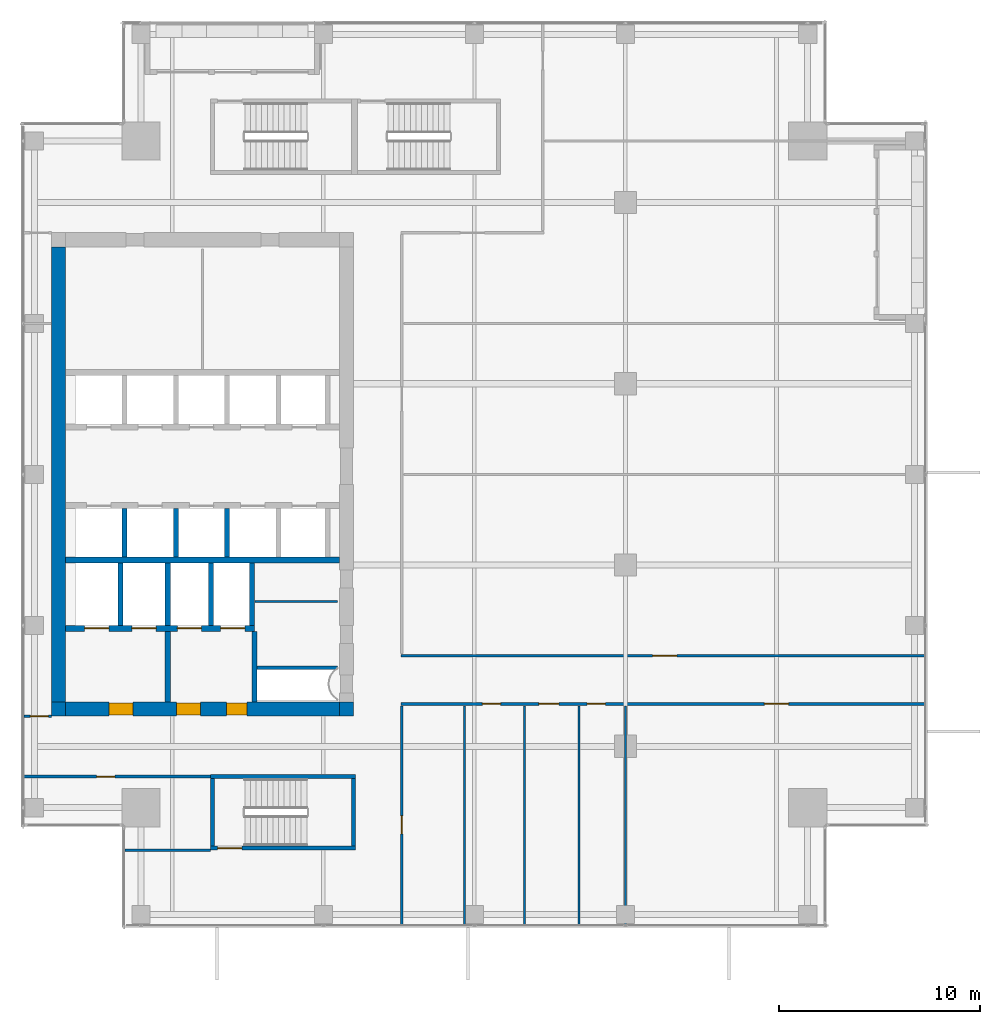
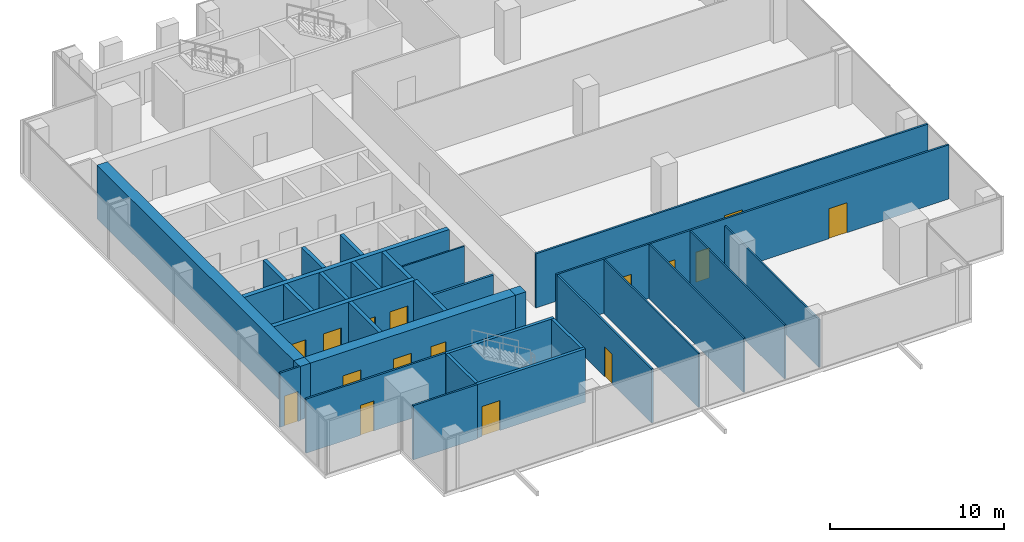
# One storey, part 29 of 34: 31 walls, 16 doors, 16 openings.
"""IFC4 building model written with IfcOpenShell, lengths in metres."""

from ifc_helpers import new_model, si_unit, direction, frame, frame_2d, origin, place, context, subcontext, project, spatial, rectangle, extrude, source, transform, mapped, material, layer, layer_set, type_object, element, fill, save


model = new_model("IFC4")

# Units and contexts
model_context = context("Model", 3, precision=1e-05, world=origin(), true_north=direction((0.0, 1.0)))
body_context = subcontext(model_context, "Body", "Model", "MODEL_VIEW")
ifc_project = project(units=[si_unit("LENGTHUNIT", "METRE"), si_unit("AREAUNIT", "SQUARE_METRE"), si_unit("VOLUMEUNIT", "CUBIC_METRE"), si_unit("PLANEANGLEUNIT", "RADIAN"), si_unit("MASSUNIT", "GRAM", prefix="KILO")], contexts=[model_context])

# Site, building, storey
site_placement = place(None, origin())
site = spatial("IfcSite", under=ifc_project, at=site_placement, CompositionType="ELEMENT")
building_placement = place(site_placement, origin())
building = spatial("IfcBuilding", under=site, at=building_placement, Name="Khomas Fold Tower", CompositionType="ELEMENT")
storey_placement = place(building_placement, frame((0.0, 0.0, 254.199951171875)))
storey = spatial("IfcBuildingStorey", under=building, at=storey_placement, Name="L57", CompositionType="ELEMENT", Elevation=254.199951171875)

# Wall
ifc_material_1 = material(Name="Concrete C50/60", Category="concrete")
ifc_layer_1 = layer(ifc_material_1, 0.199951171875)
ifc_layer_set_1 = layer_set([ifc_layer_1], Name="Concrete C50/60")
wall_type_1 = type_object("IfcWallType", Name="Stair wall 200", PredefinedType="SHEAR", material=ifc_layer_set_1)
shared_shape_1 = source(origin(), body_context, "Body", "SweptSolid", [
    extrude(rectangle(XDim=7.2001953125, YDim=0.199951171875, at=frame_2d((3.60009765625, 0.0))), origin(), (0.0, 0.0, 1.0), 3.75),
])
wall_1_placement = place(storey_placement, frame((13.89990234375, 12.0, 0.0), z_axis=(0.0, 0.0, 1.0), x_axis=(1.0, 0.0, 0.0)))
element("IfcWall", 1, at=wall_1_placement, inside=storey, type_object=wall_type_1, Name="Stair wall SW-ST2-NH", PredefinedType="SHEAR", context=body_context, shape_type="MappedRepresentation", body=[
    mapped(shared_shape_1, transform((0.0, 0.0, 0.0))),
])

# Wall, opening, door
wall_2_placement = place(storey_placement, frame((13.89990234375, 8.449951171875, 0.0), z_axis=(0.0, 0.0, 1.0), x_axis=(1.0, 0.0, 0.0)))
wall_2 = element("IfcWall", 2, at=wall_2_placement, inside=storey, type_object=wall_type_1, Name="Stair wall SW-ST2-S", PredefinedType="SHEAR", context=body_context, shape_type="MappedRepresentation", body=[
    mapped(shared_shape_1, transform((0.0, 0.0, 0.0))),
])
shared_shape_2 = source(origin(), body_context, "Body", "SweptSolid", [
    extrude(rectangle(XDim=1.199951171875, YDim=2.10009765625, at=frame_2d((0.60009765625, 1.050048828125))), frame((0.0, 0.10986328125, 0.0), z_axis=(0.0, -1.0, 0.0), x_axis=(1.0, 0.0, 0.0)), (0.0, 0.0, 1.0), 0.219970703125),
])
opening_1_placement = place(wall_2_placement, frame((0.35009765625, 0.0, 0.0)))
opening_1 = element("IfcOpeningElement", 3, at=opening_1_placement, cuts=wall_2, Name="Opening SD-ST2", PredefinedType="OPENING", context=body_context, shape_type="MappedRepresentation", body=[
    mapped(shared_shape_2, transform((0.0, 0.0, 0.0))),
])
ifc_material_2 = material(Name="Steel door leaf", Category="steel")
door_type_1 = type_object("IfcDoorType", Name="Stair door 1200x2100 right-hand", OperationType="SINGLE_SWING_RIGHT", PredefinedType="DOOR", material=ifc_material_2)
shared_shape_3 = source(origin(), body_context, "Body", "SweptSolid", [
    extrude(rectangle(XDim=1.199951171875, YDim=2.10009765625, at=frame_2d((0.60009765625, 1.050048828125))), frame((0.0, 0.02490234375, 0.0), z_axis=(0.0, -1.0, 0.0), x_axis=(1.0, 0.0, 0.0)), (0.0, 0.0, 1.0), 0.050048828125),
])
door_1_placement = place(opening_1_placement, origin())
door_1 = element("IfcDoor", 4, at=door_1_placement, inside=storey, type_object=door_type_1, Name="Stair door", OperationType="SINGLE_SWING_RIGHT", OverallHeight=2.10009765625, OverallWidth=1.199951171875, PredefinedType="DOOR", context=body_context, shape_type="MappedRepresentation", body=[
    mapped(shared_shape_3, transform((0.0, 0.0, 0.0))),
])
fill(opening_1, door_1)

# Walls
shared_shape_4 = source(origin(), body_context, "Body", "SweptSolid", [
    extrude(rectangle(XDim=3.349853515625, YDim=0.199951171875, at=frame_2d((1.6748046875, 0.0))), origin(), (0.0, 0.0, 1.0), 3.75),
])
for number, where, z_axis, x_axis, name in (
    (5, (21.0, 8.550048828125, 0.0), (0.0, 0.0, 1.0), (0.0, 1.0, 0.0), "Stair wall SW-ST2-E"),
    (6, (14.0, 8.550048828125, 0.0), (0.0, 0.0, 1.0), (0.0, 1.0, 0.0), "Stair wall SW-ST2-W"),
):
    element("IfcWall", number, at=place(storey_placement, frame(where, z_axis=z_axis, x_axis=x_axis)), inside=storey, type_object=wall_type_1, Name=name, PredefinedType="SHEAR", context=body_context, shape_type="MappedRepresentation", body=[
        mapped(shared_shape_4, transform((0.0, 0.0, 0.0))),
    ])
ifc_material_3 = material(Name="Concrete C50/60", Category="concrete")
ifc_layer_2 = layer(ifc_material_3, 0.25)
ifc_layer_set_2 = layer_set([ifc_layer_2], Name="Concrete C50/60")
wall_type_2 = type_object("IfcWallType", Name="Shaft wall 250", PredefinedType="STANDARD", material=ifc_layer_set_2)
shared_shape_5 = source(origin(), body_context, "Body", "SweptSolid", [
    extrude(rectangle(XDim=3.10009765625, YDim=0.25, at=frame_2d((1.550048828125, 0.0))), origin(), (0.0, 0.0, 1.0), 3.75),
])
for number, where, z_axis, x_axis, name in (
    (7, (9.425048828125, 19.5, 0.0), (0.0, 0.0, 1.0), (0.0, 1.0, 0.0), "Core wall SW-FS-P1"),
    (8, (11.77490234375, 19.5, 0.0), (0.0, 0.0, 1.0), (0.0, 1.0, 0.0), "Core wall SW-FS-P2"),
    (9, (13.925048828125, 19.5, 0.0), (0.0, 0.0, 1.0), (0.0, 1.0, 0.0), "Core wall SW-FS-P3"),
    (10, (15.949951171875, 19.5, 0.0), (0.0, 0.0, 1.0), (0.0, 1.0, 0.0), "Core wall SW-FS-PE"),
):
    element("IfcWall", number, at=place(storey_placement, frame(where, z_axis=z_axis, x_axis=x_axis)), inside=storey, type_object=wall_type_2, Name=name, PredefinedType="STANDARD", context=body_context, shape_type="MappedRepresentation", body=[
        mapped(shared_shape_5, transform((0.0, 0.0, 0.0))),
    ])
shared_shape_6 = source(origin(), body_context, "Body", "SweptSolid", [
    extrude(rectangle(XDim=2.400146484375, YDim=0.25, at=frame_2d((1.2001953125, 0.0))), origin(), (0.0, 0.0, 1.0), 3.75),
])
for number, where, z_axis, x_axis, name in (
    (11, (9.625, 22.89990234375, 0.0), (0.0, 0.0, 1.0), (0.0, 1.0, 0.0), "Core wall SW-HRS-P1"),
    (12, (12.175048828125, 22.89990234375, 0.0), (0.0, 0.0, 1.0), (0.0, 1.0, 0.0), "Core wall SW-HRS-P2"),
    (13, (14.72509765625, 22.89990234375, 0.0), (0.0, 0.0, 1.0), (0.0, 1.0, 0.0), "Core wall SW-HRS-PE"),
):
    element("IfcWall", number, at=place(storey_placement, frame(where, z_axis=z_axis, x_axis=x_axis)), inside=storey, type_object=wall_type_2, Name=name, PredefinedType="STANDARD", context=body_context, shape_type="MappedRepresentation", body=[
        mapped(shared_shape_6, transform((0.0, 0.0, 0.0))),
    ])

# Wall, openings, doors
ifc_material_4 = material(Name="Concrete C60/75", Category="concrete")
ifc_layer_3 = layer(ifc_material_4, 0.699951171875)
ifc_layer_set_3 = layer_set([ifc_layer_3], Name="Concrete C60/75")
wall_type_3 = type_object("IfcWallType", Name="Core wall 700", PredefinedType="SHEAR", material=ifc_layer_set_3)
shared_shape_7 = source(origin(), body_context, "Body", "SweptSolid", [
    extrude(rectangle(XDim=13.60009765625, YDim=0.699951171875, at=frame_2d((6.800048828125, 0.0))), origin(), (0.0, 0.0, 1.0), 3.75),
])
wall_3_placement = place(storey_placement, frame((6.699951171875, 15.35009765625, 0.0), z_axis=(0.0, 0.0, 1.0), x_axis=(1.0, 0.0, 0.0)))
wall_3 = element("IfcWall", 14, at=wall_3_placement, inside=storey, type_object=wall_type_3, Name="Core wall CW-U-S-L49", PredefinedType="SHEAR", context=body_context, shape_type="MappedRepresentation", body=[
    mapped(shared_shape_7, transform((0.0, 0.0, 0.0))),
])
shared_shape_8 = source(origin(), body_context, "Body", "SweptSolid", [
    extrude(rectangle(XDim=1.199951171875, YDim=2.10009765625, at=frame_2d((0.60009765625, 1.050048828125))), frame((0.0, 0.35986328125, 0.0), z_axis=(0.0, -1.0, 0.0), x_axis=(1.0, 0.0, 0.0)), (0.0, 0.0, 1.0), 0.719970703125),
])
opening_2_placement = place(wall_3_placement, frame((5.5, 0.0, 0.0)))
opening_2 = element("IfcOpeningElement", 15, at=opening_2_placement, cuts=wall_3, Name="Opening 0009", PredefinedType="OPENING", context=body_context, shape_type="MappedRepresentation", body=[
    mapped(shared_shape_8, transform((0.0, 0.0, 0.0))),
])
opening_3_placement = place(wall_3_placement, frame((2.14990234375, 0.0, 0.0)))
opening_3 = element("IfcOpeningElement", 16, at=opening_3_placement, cuts=wall_3, Name="Opening 0009", PredefinedType="OPENING", context=body_context, shape_type="MappedRepresentation", body=[
    mapped(shared_shape_8, transform((0.0, 0.0, 0.0))),
])
shared_shape_9 = source(origin(), body_context, "Body", "SweptSolid", [
    extrude(rectangle(XDim=1.0, YDim=2.10009765625, at=frame_2d((0.5, 1.050048828125))), frame((0.0, 0.35986328125, 0.0), z_axis=(0.0, -1.0, 0.0), x_axis=(1.0, 0.0, 0.0)), (0.0, 0.0, 1.0), 0.719970703125),
])
opening_4_placement = place(wall_3_placement, frame((8.0, 0.0, 0.0)))
opening_4 = element("IfcOpeningElement", 17, at=opening_4_placement, cuts=wall_3, Name="Opening 0010", PredefinedType="OPENING", context=body_context, shape_type="MappedRepresentation", body=[
    mapped(shared_shape_9, transform((0.0, 0.0, 0.0))),
])
ifc_material_5 = material(Name="Steel door leaf", Category="steel")
door_type_2 = type_object("IfcDoorType", Name="Lobby door 1200x2100 right-hand", OperationType="SINGLE_SWING_RIGHT", PredefinedType="DOOR", material=ifc_material_5)
shared_shape_10 = source(origin(), body_context, "Body", "SweptSolid", [
    extrude(rectangle(XDim=1.199951171875, YDim=2.10009765625, at=frame_2d((0.60009765625, 1.050048828125))), frame((0.0, 0.2998046875, 0.0), z_axis=(0.0, -1.0, 0.0), x_axis=(1.0, 0.0, 0.0)), (0.0, 0.0, 1.0), 0.599853515625),
])
door_2_placement = place(opening_2_placement, origin())
door_2 = element("IfcDoor", 18, at=door_2_placement, inside=storey, type_object=door_type_2, Name="Lobby door", OperationType="SINGLE_SWING_RIGHT", OverallHeight=2.10009765625, OverallWidth=1.199951171875, PredefinedType="DOOR", context=body_context, shape_type="MappedRepresentation", body=[
    mapped(shared_shape_10, transform((0.0, 0.0, 0.0))),
])
fill(opening_2, door_2)
door_3_placement = place(opening_3_placement, origin())
door_3 = element("IfcDoor", 19, at=door_3_placement, inside=storey, type_object=door_type_2, Name="Lobby door", OperationType="SINGLE_SWING_RIGHT", OverallHeight=2.10009765625, OverallWidth=1.199951171875, PredefinedType="DOOR", context=body_context, shape_type="MappedRepresentation", body=[
    mapped(shared_shape_10, transform((0.0, 0.0, 0.0))),
])
fill(opening_3, door_3)
ifc_material_6 = material(Name="Steel door leaf", Category="steel")
door_type_3 = type_object("IfcDoorType", Name="Stair door 1000x2100 right-hand", OperationType="SINGLE_SWING_RIGHT", PredefinedType="DOOR", material=ifc_material_6)
shared_shape_11 = source(origin(), body_context, "Body", "SweptSolid", [
    extrude(rectangle(XDim=1.0, YDim=2.10009765625, at=frame_2d((0.5, 1.050048828125))), frame((0.0, 0.2998046875, 0.0), z_axis=(0.0, -1.0, 0.0), x_axis=(1.0, 0.0, 0.0)), (0.0, 0.0, 1.0), 0.599853515625),
])
door_4_placement = place(opening_4_placement, origin())
door_4 = element("IfcDoor", 20, at=door_4_placement, inside=storey, type_object=door_type_3, Name="Stair door", OperationType="SINGLE_SWING_RIGHT", OverallHeight=2.10009765625, OverallWidth=1.0, PredefinedType="DOOR", context=body_context, shape_type="MappedRepresentation", body=[
    mapped(shared_shape_11, transform((0.0, 0.0, 0.0))),
])
fill(opening_4, door_4)

# Walls
ifc_material_7 = material(Name="Concrete C60/75", Category="concrete")
ifc_layer_4 = layer(ifc_material_7, 0.699951171875)
ifc_layer_set_4 = layer_set([ifc_layer_4], Name="Concrete C60/75")
wall_type_4 = type_object("IfcWallType", Name="Core corner wall 700", PredefinedType="SHEAR", material=ifc_layer_set_4)
shared_shape_12 = source(origin(), body_context, "Body", "SweptSolid", [
    extrude(rectangle(XDim=0.699951171875, YDim=0.699951171875, at=frame_2d((0.35009765625, 0.0))), origin(), (0.0, 0.0, 1.0), 3.75),
])
for number, where, z_axis, x_axis, name in (
    (21, (20.300048828125, 15.35009765625, 0.0), (0.0, 0.0, 1.0), (1.0, 0.0, 0.0), "Core wall CW-U-SE-L49"),
    (22, (6.0, 15.35009765625, 0.0), (0.0, 0.0, 1.0), (1.0, 0.0, 0.0), "Core wall CW-U-SW-L49"),
):
    element("IfcWall", number, at=place(storey_placement, frame(where, z_axis=z_axis, x_axis=x_axis)), inside=storey, type_object=wall_type_4, Name=name, PredefinedType="SHEAR", context=body_context, shape_type="MappedRepresentation", body=[
        mapped(shared_shape_12, transform((0.0, 0.0, 0.0))),
    ])
shared_shape_13 = source(origin(), body_context, "Body", "SweptSolid", [
    extrude(rectangle(XDim=22.60009765625, YDim=0.699951171875, at=frame_2d((11.300048828125, 0.0))), origin(), (0.0, 0.0, 1.0), 3.75),
])
wall_4_placement = place(storey_placement, frame((6.35009765625, 15.699951171875, 0.0), z_axis=(0.0, 0.0, 1.0), x_axis=(0.0, 1.0, 0.0)))
element("IfcWall", 23, at=wall_4_placement, inside=storey, type_object=wall_type_3, Name="Core wall CW-U-W-L49", PredefinedType="SHEAR", context=body_context, shape_type="MappedRepresentation", body=[
    mapped(shared_shape_13, transform((0.0, 0.0, 0.0))),
])
ifc_material_8 = material(Name="Concrete C50/60", Category="concrete")
ifc_layer_5 = layer(ifc_material_8, 0.300048828125)
ifc_layer_set_5 = layer_set([ifc_layer_5], Name="Concrete C50/60")
wall_type_5 = type_object("IfcWallType", Name="Shaft wall 300", PredefinedType="STANDARD", material=ifc_layer_set_5)
shared_shape_14 = source(origin(), body_context, "Body", "SweptSolid", [
    extrude(rectangle(XDim=13.60009765625, YDim=0.300048828125, at=frame_2d((6.800048828125, 0.0))), origin(), (0.0, 0.0, 1.0), 3.75),
])
wall_5_placement = place(storey_placement, frame((6.699951171875, 22.75, 0.0), z_axis=(0.0, 0.0, 1.0), x_axis=(1.0, 0.0, 0.0)))
element("IfcWall", 24, at=wall_5_placement, inside=storey, type_object=wall_type_5, Name="Core wall SW-FS-B", PredefinedType="STANDARD", context=body_context, shape_type="MappedRepresentation", body=[
    mapped(shared_shape_14, transform((0.0, 0.0, 0.0))),
])

# Wall, openings, doors
shared_shape_15 = source(origin(), body_context, "Body", "SweptSolid", [
    extrude(rectangle(XDim=9.375, YDim=0.300048828125, at=frame_2d((4.6875, 0.0))), origin(), (0.0, 0.0, 1.0), 3.75),
])
wall_6_placement = place(storey_placement, frame((6.699951171875, 19.35009765625, 0.0), z_axis=(0.0, 0.0, 1.0), x_axis=(1.0, 0.0, 0.0)))
wall_6 = element("IfcWall", 25, at=wall_6_placement, inside=storey, type_object=wall_type_5, Name="Core wall SW-FS-F", PredefinedType="STANDARD", context=body_context, shape_type="MappedRepresentation", body=[
    mapped(shared_shape_15, transform((0.0, 0.0, 0.0))),
])
shared_shape_16 = source(origin(), body_context, "Body", "SweptSolid", [
    extrude(rectangle(XDim=1.199951171875, YDim=2.10009765625, at=frame_2d((0.60009765625, 1.050048828125))), frame((0.0, 0.159912109375, 0.0), z_axis=(0.0, -1.0, 0.0), x_axis=(1.0, 0.0, 0.0)), (0.0, 0.0, 1.0), 0.320068359375),
])
opening_5_placement = place(wall_6_placement, frame((0.949951171875, 0.0, 0.0)))
opening_5 = element("IfcOpeningElement", 26, at=opening_5_placement, cuts=wall_6, Name="Opening LD-SV1", PredefinedType="OPENING", context=body_context, shape_type="MappedRepresentation", body=[
    mapped(shared_shape_16, transform((0.0, 0.0, 0.0))),
])
opening_6_placement = place(wall_6_placement, frame((3.300048828125, 0.0, 0.0)))
opening_6 = element("IfcOpeningElement", 27, at=opening_6_placement, cuts=wall_6, Name="Opening LD-SV2", PredefinedType="OPENING", context=body_context, shape_type="MappedRepresentation", body=[
    mapped(shared_shape_16, transform((0.0, 0.0, 0.0))),
])
opening_7_placement = place(wall_6_placement, frame((5.550048828125, 0.0, 0.0)))
opening_7 = element("IfcOpeningElement", 28, at=opening_7_placement, cuts=wall_6, Name="Opening LD-FF1", PredefinedType="OPENING", context=body_context, shape_type="MappedRepresentation", body=[
    mapped(shared_shape_16, transform((0.0, 0.0, 0.0))),
])
opening_8_placement = place(wall_6_placement, frame((7.699951171875, 0.0, 0.0)))
opening_8 = element("IfcOpeningElement", 29, at=opening_8_placement, cuts=wall_6, Name="Opening LD-FF2", PredefinedType="OPENING", context=body_context, shape_type="MappedRepresentation", body=[
    mapped(shared_shape_16, transform((0.0, 0.0, 0.0))),
])
ifc_material_9 = material(Name="Steel door leaf", Category="steel")
door_type_4 = type_object("IfcDoorType", Name="Landing door 1200x2100", OperationType="DOUBLE_DOOR_SLIDING", PredefinedType="DOOR", material=ifc_material_9)
door_5_placement = place(opening_5_placement, origin())
door_5 = element("IfcDoor", 30, at=door_5_placement, inside=storey, type_object=door_type_4, Name="Lift landing door", OperationType="DOUBLE_DOOR_SLIDING", OverallHeight=2.10009765625, OverallWidth=1.199951171875, PredefinedType="DOOR", context=body_context, shape_type="MappedRepresentation", body=[
    mapped(shared_shape_3, transform((0.0, 0.0, 0.0))),
])
fill(opening_5, door_5)
door_6_placement = place(opening_6_placement, origin())
door_6 = element("IfcDoor", 31, at=door_6_placement, inside=storey, type_object=door_type_4, Name="Lift landing door", OperationType="DOUBLE_DOOR_SLIDING", OverallHeight=2.10009765625, OverallWidth=1.199951171875, PredefinedType="DOOR", context=body_context, shape_type="MappedRepresentation", body=[
    mapped(shared_shape_3, transform((0.0, 0.0, 0.0))),
])
fill(opening_6, door_6)
door_7_placement = place(opening_7_placement, origin())
door_7 = element("IfcDoor", 32, at=door_7_placement, inside=storey, type_object=door_type_4, Name="Lift landing door", OperationType="DOUBLE_DOOR_SLIDING", OverallHeight=2.10009765625, OverallWidth=1.199951171875, PredefinedType="DOOR", context=body_context, shape_type="MappedRepresentation", body=[
    mapped(shared_shape_3, transform((0.0, 0.0, 0.0))),
])
fill(opening_7, door_7)
door_8_placement = place(opening_8_placement, origin())
door_8 = element("IfcDoor", 33, at=door_8_placement, inside=storey, type_object=door_type_4, Name="Lift landing door", OperationType="DOUBLE_DOOR_SLIDING", OverallHeight=2.10009765625, OverallWidth=1.199951171875, PredefinedType="DOOR", context=body_context, shape_type="MappedRepresentation", body=[
    mapped(shared_shape_3, transform((0.0, 0.0, 0.0))),
])
fill(opening_8, door_8)

# Walls
ifc_material_10 = material(Name="Concrete C50/60", Category="concrete")
ifc_layer_6 = layer(ifc_material_10, 0.25)
ifc_layer_set_6 = layer_set([ifc_layer_6], Name="Concrete C50/60")
wall_type_6 = type_object("IfcWallType", Name="Lobby wall 250", PredefinedType="STANDARD", material=ifc_layer_set_6)
shared_shape_17 = source(origin(), body_context, "Body", "SweptSolid", [
    extrude(rectangle(XDim=3.5, YDim=0.25, at=frame_2d((1.75, 0.0))), origin(), (0.0, 0.0, 1.0), 3.75),
])
for number, where, z_axis, x_axis, name in (
    (34, (16.074951171875, 15.699951171875, 0.0), (0.0, 0.0, 1.0), (0.0, 1.0, 0.0), "Core wall SW-FS-LOB-E"),
    (35, (11.77490234375, 15.699951171875, 0.0), (0.0, 0.0, 1.0), (0.0, 1.0, 0.0), "Core wall SW-FS-SEP"),
):
    element("IfcWall", number, at=place(storey_placement, frame(where, z_axis=z_axis, x_axis=x_axis)), inside=storey, type_object=wall_type_6, Name=name, PredefinedType="STANDARD", context=body_context, shape_type="MappedRepresentation", body=[
        mapped(shared_shape_17, transform((0.0, 0.0, 0.0))),
    ])
ifc_material_11 = material(Name="Plasterboard fire partition")
ifc_layer_7 = layer(ifc_material_11, 0.14990234375)
ifc_layer_set_7 = layer_set([ifc_layer_7], Name="Plasterboard fire partition")
wall_type_7 = type_object("IfcWallType", Name="Plant room wall PW3 150", PredefinedType="PARTITIONING", material=ifc_layer_set_7)
shared_shape_18 = source(origin(), body_context, "Body", "SweptSolid", [
    extrude(rectangle(XDim=4.0, YDim=0.14990234375, at=frame_2d((2.0, 0.0))), origin(), (0.0, 0.0, 1.0), 3.800048828125),
])
wall_7_placement = place(storey_placement, frame((16.199951171875, 17.39990234375, 0.0), z_axis=(0.0, 0.0, 1.0), x_axis=(1.0, 0.0, 0.0)))
element("IfcWall", 36, at=wall_7_placement, inside=storey, type_object=wall_type_7, Name="Plant room wall", PredefinedType="PARTITIONING", context=body_context, shape_type="MappedRepresentation", body=[
    mapped(shared_shape_18, transform((0.0, 0.0, 0.0))),
])
ifc_material_12 = material(Name="Plasterboard partition")
ifc_layer_8 = layer(ifc_material_12, 0.10009765625)
ifc_layer_set_8 = layer_set([ifc_layer_8], Name="Plasterboard partition")
wall_type_8 = type_object("IfcWallType", Name="Partition PW1 100", PredefinedType="PARTITIONING", material=ifc_layer_set_8)
shared_shape_19 = source(origin(), body_context, "Body", "SweptSolid", [
    extrude(rectangle(XDim=4.099853515625, YDim=0.10009765625, at=frame_2d((2.0498046875, 0.0))), origin(), (0.0, 0.0, 1.0), 3.800048828125),
])
wall_8_placement = place(storey_placement, frame((16.10009765625, 20.699951171875, 0.0), z_axis=(0.0, 0.0, 1.0), x_axis=(1.0, 0.0, 0.0)))
element("IfcWall", 37, at=wall_8_placement, inside=storey, type_object=wall_type_8, Name="Partition", PredefinedType="PARTITIONING", context=body_context, shape_type="MappedRepresentation", body=[
    mapped(shared_shape_19, transform((0.0, 0.0, 0.0))),
])

# Wall, opening, door
ifc_material_13 = material(Name="Plasterboard partition")
ifc_layer_9 = layer(ifc_material_13, 0.125)
ifc_layer_set_9 = layer_set([ifc_layer_9], Name="Plasterboard partition")
wall_type_9 = type_object("IfcWallType", Name="Partition PW2 125", PredefinedType="PARTITIONING", material=ifc_layer_set_9)
shared_shape_20 = source(origin(), body_context, "Body", "SweptSolid", [
    extrude(rectangle(XDim=9.25, YDim=0.125, at=frame_2d((4.625, 0.0))), origin(), (0.0, 0.0, 1.0), 3.800048828125),
])
wall_9_placement = place(storey_placement, frame((4.64990234375, 12.0, 0.0), z_axis=(0.0, 0.0, 1.0), x_axis=(1.0, 0.0, 0.0)))
wall_9 = element("IfcWall", 38, at=wall_9_placement, inside=storey, type_object=wall_type_9, Name="Partition", PredefinedType="PARTITIONING", context=body_context, shape_type="MappedRepresentation", body=[
    mapped(shared_shape_20, transform((0.0, 0.0, 0.0))),
])
shared_shape_21 = source(origin(), body_context, "Body", "SweptSolid", [
    extrude(rectangle(XDim=0.89990234375, YDim=2.10009765625, at=frame_2d((0.449951171875, 1.050048828125))), frame((0.0, 0.072509765625, 0.0), z_axis=(0.0, -1.0, 0.0), x_axis=(1.0, 0.0, 0.0)), (0.0, 0.0, 1.0), 0.14501953125),
])
opening_9_placement = place(wall_9_placement, frame((3.60009765625, 0.0, 0.0)))
opening_9 = element("IfcOpeningElement", 39, at=opening_9_placement, cuts=wall_9, Name="Opening 0007", PredefinedType="OPENING", context=body_context, shape_type="MappedRepresentation", body=[
    mapped(shared_shape_21, transform((0.0, 0.0, 0.0))),
])
ifc_material_14 = material(Name="Timber door leaf", Category="wood")
door_type_5 = type_object("IfcDoorType", Name="Door 900x2100 left-hand", OperationType="SINGLE_SWING_LEFT", PredefinedType="DOOR", material=ifc_material_14)
shared_shape_22 = source(origin(), body_context, "Body", "SweptSolid", [
    extrude(rectangle(XDim=0.89990234375, YDim=2.10009765625, at=frame_2d((0.449951171875, 1.050048828125))), frame((0.0, 0.02490234375, 0.0), z_axis=(0.0, -1.0, 0.0), x_axis=(1.0, 0.0, 0.0)), (0.0, 0.0, 1.0), 0.050048828125),
])
door_9_placement = place(opening_9_placement, origin())
door_9 = element("IfcDoor", 40, at=door_9_placement, inside=storey, type_object=door_type_5, Name="Door", OperationType="SINGLE_SWING_LEFT", OverallHeight=2.10009765625, OverallWidth=0.89990234375, PredefinedType="DOOR", context=body_context, shape_type="MappedRepresentation", body=[
    mapped(shared_shape_22, transform((0.0, 0.0, 0.0))),
])
fill(opening_9, door_9)

shared_shape_23 = source(origin(), body_context, "Body", "SweptSolid", [
    extrude(rectangle(XDim=10.85009765625, YDim=0.125, at=frame_2d((5.425048828125, 0.0))), origin(), (0.0, 0.0, 1.0), 3.800048828125),
])
wall_10_placement = place(storey_placement, frame((23.39990234375, 4.64990234375, 0.0), z_axis=(0.0, 0.0, 1.0), x_axis=(0.0, 1.0, 0.0)))
wall_10 = element("IfcWall", 41, at=wall_10_placement, inside=storey, type_object=wall_type_9, Name="Partition", PredefinedType="PARTITIONING", context=body_context, shape_type="MappedRepresentation", body=[
    mapped(shared_shape_23, transform((0.0, 0.0, 0.0))),
])
opening_10_placement = place(wall_10_placement, frame((4.5, 0.0, 0.0)))
opening_10 = element("IfcOpeningElement", 42, at=opening_10_placement, cuts=wall_10, Name="Opening 0005", PredefinedType="OPENING", context=body_context, shape_type="MappedRepresentation", body=[
    mapped(shared_shape_21, transform((0.0, 0.0, 0.0))),
])
ifc_material_15 = material(Name="Timber door leaf", Category="wood")
door_type_6 = type_object("IfcDoorType", Name="WC door 900x2100 left-hand", OperationType="SINGLE_SWING_LEFT", PredefinedType="DOOR", material=ifc_material_15)
door_10_placement = place(opening_10_placement, origin())
door_10 = element("IfcDoor", 43, at=door_10_placement, inside=storey, type_object=door_type_6, Name="WC door", OperationType="SINGLE_SWING_LEFT", OverallHeight=2.10009765625, OverallWidth=0.89990234375, PredefinedType="DOOR", context=body_context, shape_type="MappedRepresentation", body=[
    mapped(shared_shape_22, transform((0.0, 0.0, 0.0))),
])
fill(opening_10, door_10)

# Walls
shared_shape_24 = source(origin(), body_context, "Body", "SweptSolid", [
    extrude(rectangle(XDim=10.85009765625, YDim=0.10009765625, at=frame_2d((5.425048828125, 0.0))), origin(), (0.0, 0.0, 1.0), 3.800048828125),
])
for number, where, z_axis, x_axis, name in (
    (44, (26.5, 4.64990234375, 0.0), (0.0, 0.0, 1.0), (0.0, 1.0, 0.0), "Partition"),
    (45, (29.5, 4.64990234375, 0.0), (0.0, 0.0, 1.0), (0.0, 1.0, 0.0), "Partition"),
    (46, (32.199951171875, 4.64990234375, 0.0), (0.0, 0.0, 1.0), (0.0, 1.0, 0.0), "Partition"),
):
    element("IfcWall", number, at=place(storey_placement, frame(where, z_axis=z_axis, x_axis=x_axis)), inside=storey, type_object=wall_type_8, Name=name, PredefinedType="PARTITIONING", context=body_context, shape_type="MappedRepresentation", body=[
        mapped(shared_shape_24, transform((0.0, 0.0, 0.0))),
    ])
shared_shape_25 = source(origin(), body_context, "Body", "SweptSolid", [
    extrude(rectangle(XDim=10.85009765625, YDim=0.10009765625, at=frame_2d((5.425048828125, 0.0))), origin(), (0.0, 0.0, 1.0), 3.35009765625),
])
wall_11_placement = place(storey_placement, frame((34.5, 4.64990234375, 0.0), z_axis=(0.0, 0.0, 1.0), x_axis=(0.0, 1.0, 0.0)))
element("IfcWall", 47, at=wall_11_placement, inside=storey, type_object=wall_type_8, Name="Partition", PredefinedType="PARTITIONING", context=body_context, shape_type="MappedRepresentation", body=[
    mapped(shared_shape_25, transform((0.0, 0.0, 0.0))),
])
shared_shape_26 = source(origin(), body_context, "Body", "SweptSolid", [
    extrude(rectangle(XDim=4.25, YDim=0.125, at=frame_2d((2.125, 0.0))), origin(), (0.0, 0.0, 1.0), 3.800048828125),
])
wall_12_placement = place(storey_placement, frame((9.64990234375, 8.35009765625, 0.0), z_axis=(0.0, 0.0, 1.0), x_axis=(1.0, 0.0, 0.0)))
element("IfcWall", 48, at=wall_12_placement, inside=storey, type_object=wall_type_9, Name="Partition", PredefinedType="PARTITIONING", context=body_context, shape_type="MappedRepresentation", body=[
    mapped(shared_shape_26, transform((0.0, 0.0, 0.0))),
])

# Wall, opening, door
shared_shape_27 = source(origin(), body_context, "Body", "SweptSolid", [
    extrude(rectangle(XDim=1.35009765625, YDim=0.125, at=frame_2d((0.675048828125, 0.0))), origin(), (0.0, 0.0, 1.0), 3.800048828125),
])
wall_13_placement = place(storey_placement, frame((4.64990234375, 15.0, 0.0), z_axis=(0.0, 0.0, 1.0), x_axis=(1.0, 0.0, 0.0)))
wall_13 = element("IfcWall", 49, at=wall_13_placement, inside=storey, type_object=wall_type_9, Name="Partition", PredefinedType="PARTITIONING", context=body_context, shape_type="MappedRepresentation", body=[
    mapped(shared_shape_27, transform((0.0, 0.0, 0.0))),
])
opening_11_placement = place(wall_13_placement, frame((0.300048828125, 0.0, 0.0)))
opening_11 = element("IfcOpeningElement", 50, at=opening_11_placement, cuts=wall_13, Name="Opening 0007", PredefinedType="OPENING", context=body_context, shape_type="MappedRepresentation", body=[
    mapped(shared_shape_21, transform((0.0, 0.0, 0.0))),
])
door_11_placement = place(opening_11_placement, origin())
door_11 = element("IfcDoor", 51, at=door_11_placement, inside=storey, type_object=door_type_5, Name="Door", OperationType="SINGLE_SWING_LEFT", OverallHeight=2.10009765625, OverallWidth=0.89990234375, PredefinedType="DOOR", context=body_context, shape_type="MappedRepresentation", body=[
    mapped(shared_shape_22, transform((0.0, 0.0, 0.0))),
])
fill(opening_11, door_11)

# Wall, openings, doors
shared_shape_28 = source(origin(), body_context, "Body", "SweptSolid", [
    extrude(rectangle(XDim=26.0, YDim=0.125, at=frame_2d((13.0, 0.0))), origin(), (0.0, 0.0, 1.0), 3.800048828125),
])
wall_14_placement = place(storey_placement, frame((23.35009765625, 15.60009765625, 0.0), z_axis=(0.0, 0.0, 1.0), x_axis=(1.0, 0.0, 0.0)))
wall_14 = element("IfcWall", 52, at=wall_14_placement, inside=storey, type_object=wall_type_9, Name="Partition", PredefinedType="PARTITIONING", context=body_context, shape_type="MappedRepresentation", body=[
    mapped(shared_shape_28, transform((0.0, 0.0, 0.0))),
])
opening_12_placement = place(wall_14_placement, frame((4.050048828125, 0.0, 0.0)))
opening_12 = element("IfcOpeningElement", 53, at=opening_12_placement, cuts=wall_14, Name="Opening 0005", PredefinedType="OPENING", context=body_context, shape_type="MappedRepresentation", body=[
    mapped(shared_shape_21, transform((0.0, 0.0, 0.0))),
])
shared_shape_29 = source(origin(), body_context, "Body", "SweptSolid", [
    extrude(rectangle(XDim=1.0, YDim=2.10009765625, at=frame_2d((0.5, 1.050048828125))), frame((0.0, 0.072509765625, 0.0), z_axis=(0.0, -1.0, 0.0), x_axis=(1.0, 0.0, 0.0)), (0.0, 0.0, 1.0), 0.14501953125),
])
opening_13_placement = place(wall_14_placement, frame((6.85009765625, 0.0, 0.0)))
opening_13 = element("IfcOpeningElement", 54, at=opening_13_placement, cuts=wall_14, Name="Opening 0014", PredefinedType="OPENING", context=body_context, shape_type="MappedRepresentation", body=[
    mapped(shared_shape_29, transform((0.0, 0.0, 0.0))),
])
opening_14_placement = place(wall_14_placement, frame((9.25, 0.0, 0.0)))
opening_14 = element("IfcOpeningElement", 55, at=opening_14_placement, cuts=wall_14, Name="Opening 0007", PredefinedType="OPENING", context=body_context, shape_type="MappedRepresentation", body=[
    mapped(shared_shape_21, transform((0.0, 0.0, 0.0))),
])
shared_shape_30 = source(origin(), body_context, "Body", "SweptSolid", [
    extrude(rectangle(XDim=1.199951171875, YDim=2.10009765625, at=frame_2d((0.60009765625, 1.050048828125))), frame((0.0, 0.072509765625, 0.0), z_axis=(0.0, -1.0, 0.0), x_axis=(1.0, 0.0, 0.0)), (0.0, 0.0, 1.0), 0.14501953125),
])
opening_15_placement = place(wall_14_placement, frame((18.050048828125, 0.0, 0.0)))
opening_15 = element("IfcOpeningElement", 56, at=opening_15_placement, cuts=wall_14, Name="Opening 0001", PredefinedType="OPENING", context=body_context, shape_type="MappedRepresentation", body=[
    mapped(shared_shape_30, transform((0.0, 0.0, 0.0))),
])
door_12_placement = place(opening_12_placement, origin())
door_12 = element("IfcDoor", 57, at=door_12_placement, inside=storey, type_object=door_type_6, Name="WC door", OperationType="SINGLE_SWING_LEFT", OverallHeight=2.10009765625, OverallWidth=0.89990234375, PredefinedType="DOOR", context=body_context, shape_type="MappedRepresentation", body=[
    mapped(shared_shape_22, transform((0.0, 0.0, 0.0))),
])
fill(opening_12, door_12)
door_13_placement = place(opening_14_placement, origin())
door_13 = element("IfcDoor", 58, at=door_13_placement, inside=storey, type_object=door_type_5, Name="Door", OperationType="SINGLE_SWING_LEFT", OverallHeight=2.10009765625, OverallWidth=0.89990234375, PredefinedType="DOOR", context=body_context, shape_type="MappedRepresentation", body=[
    mapped(shared_shape_22, transform((0.0, 0.0, 0.0))),
])
fill(opening_14, door_13)
ifc_material_16 = material(Name="Timber door leaf", Category="wood")
door_type_7 = type_object("IfcDoorType", Name="WC door 1000x2100 left-hand", OperationType="SINGLE_SWING_LEFT", PredefinedType="DOOR", material=ifc_material_16)
shared_shape_31 = source(origin(), body_context, "Body", "SweptSolid", [
    extrude(rectangle(XDim=1.0, YDim=2.10009765625, at=frame_2d((0.5, 1.050048828125))), frame((0.0, 0.02490234375, 0.0), z_axis=(0.0, -1.0, 0.0), x_axis=(1.0, 0.0, 0.0)), (0.0, 0.0, 1.0), 0.050048828125),
])
door_14_placement = place(opening_13_placement, origin())
door_14 = element("IfcDoor", 59, at=door_14_placement, inside=storey, type_object=door_type_7, Name="WC door", OperationType="SINGLE_SWING_LEFT", OverallHeight=2.10009765625, OverallWidth=1.0, PredefinedType="DOOR", context=body_context, shape_type="MappedRepresentation", body=[
    mapped(shared_shape_31, transform((0.0, 0.0, 0.0))),
])
fill(opening_13, door_14)
ifc_material_17 = material(Name="Timber door leaf", Category="wood")
door_type_8 = type_object("IfcDoorType", Name="Door 1200x2100 right-hand", OperationType="SINGLE_SWING_RIGHT", PredefinedType="DOOR", material=ifc_material_17)
door_15_placement = place(opening_15_placement, origin())
door_15 = element("IfcDoor", 60, at=door_15_placement, inside=storey, type_object=door_type_8, Name="Door", OperationType="SINGLE_SWING_RIGHT", OverallHeight=2.10009765625, OverallWidth=1.199951171875, PredefinedType="DOOR", context=body_context, shape_type="MappedRepresentation", body=[
    mapped(shared_shape_3, transform((0.0, 0.0, 0.0))),
])
fill(opening_15, door_15)

# Wall, opening, door
wall_15_placement = place(storey_placement, frame((23.35009765625, 18.0, 0.0), z_axis=(0.0, 0.0, 1.0), x_axis=(1.0, 0.0, 0.0)))
wall_15 = element("IfcWall", 61, at=wall_15_placement, inside=storey, type_object=wall_type_9, Name="Partition", PredefinedType="PARTITIONING", context=body_context, shape_type="MappedRepresentation", body=[
    mapped(shared_shape_28, transform((0.0, 0.0, 0.0))),
])
opening_16_placement = place(wall_15_placement, frame((12.5, 0.0, 0.0)))
opening_16 = element("IfcOpeningElement", 62, at=opening_16_placement, cuts=wall_15, Name="Opening 0001", PredefinedType="OPENING", context=body_context, shape_type="MappedRepresentation", body=[
    mapped(shared_shape_30, transform((0.0, 0.0, 0.0))),
])
door_16_placement = place(opening_16_placement, origin())
door_16 = element("IfcDoor", 63, at=door_16_placement, inside=storey, type_object=door_type_8, Name="Door", OperationType="SINGLE_SWING_RIGHT", OverallHeight=2.10009765625, OverallWidth=1.199951171875, PredefinedType="DOOR", context=body_context, shape_type="MappedRepresentation", body=[
    mapped(shared_shape_3, transform((0.0, 0.0, 0.0))),
])
fill(opening_16, door_16)

save(model, "model.ifc")
